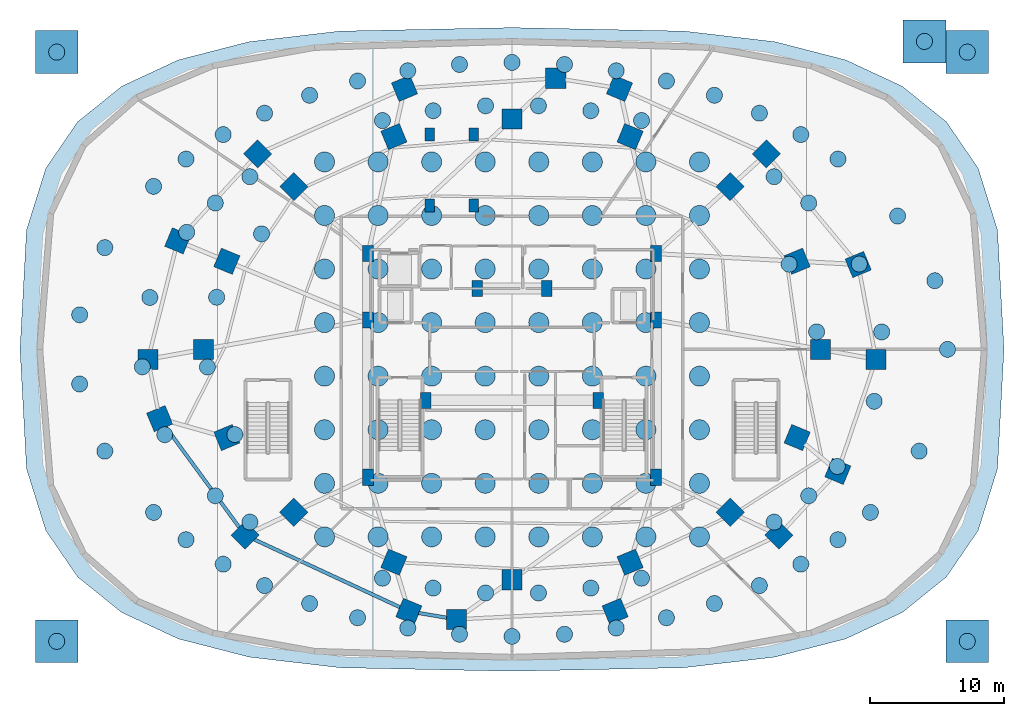
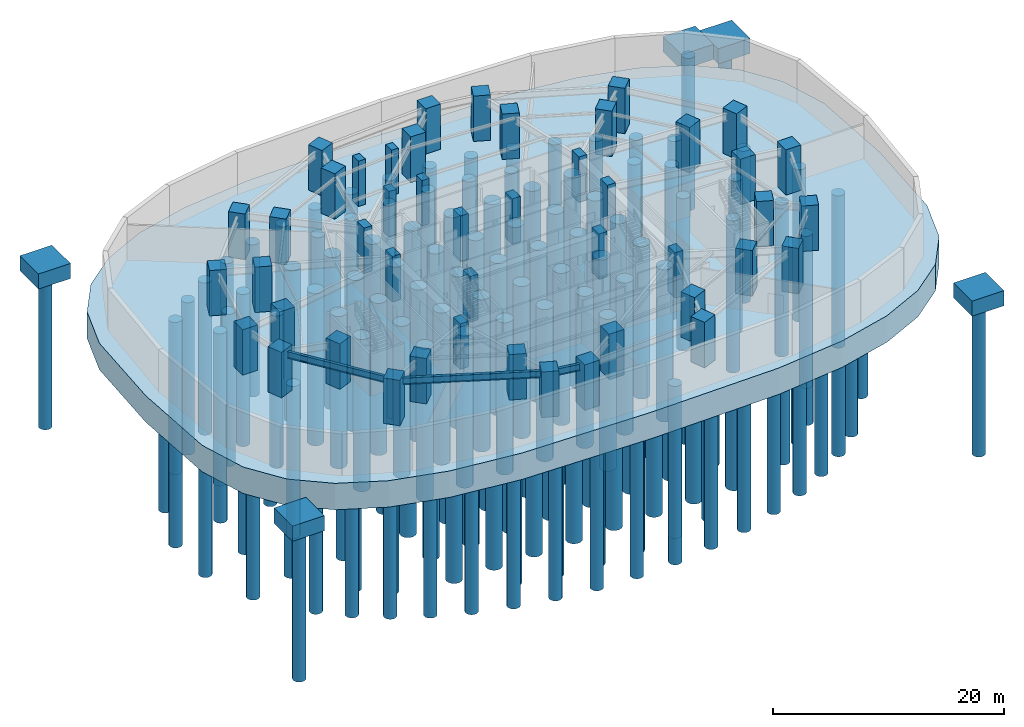
# One storey, part 1 of 9: 144 piles, 46 columns, 6 footings, 3 beams.
"""IFC4 building model written with IfcOpenShell, lengths in metres."""

import ifcopenshell
import ifcopenshell.guid

model = None  # the IFC model being written
_history = None  # IfcOwnerHistory: only IFC2X3 demands one
_inside = {}  # id of a spatial element -> (the spatial element, [elements in it])
_under = {}  # id of a project, library or spatial element -> (it, [spatial elements below it])
_declared = {}  # id of a project -> (the project, [libraries it declares])
_typed = {}  # id of a type object -> (the type object, [elements of that type])
_made_of = {}  # id of a material, layer set ... -> (it, [elements and type objects made of it])


def new_model(schema):
    """Start an empty IFC model of exactly this schema.

    Asked for "IFC4X3", IfcOpenShell would pick the latest addendum, in which some entities
    have other attributes; the version numbers below select the first issue.
    IFC2X3 requires an IfcOwnerHistory on every rooted entity: one is made here for all.
    """
    global model, _history
    if schema == "IFC4X3":
        model = ifcopenshell.file(schema_version=(4, 3, 0, 0))
    else:
        model = ifcopenshell.file(schema=schema)
    _inside.clear()
    _under.clear()
    _declared.clear()
    _typed.clear()
    _made_of.clear()
    _history = None
    if model.schema == "IFC2X3":
        org = make("IfcOrganization", Name="unknown")
        user = make(
            "IfcPersonAndOrganization",
            ThePerson=make("IfcPerson", FamilyName="unknown"),
            TheOrganization=org,
        )
        app = make(
            "IfcApplication",
            ApplicationDeveloper=org,
            Version="unknown",
            ApplicationFullName="unknown",
            ApplicationIdentifier="unknown",
        )
        _history = make(
            "IfcOwnerHistory",
            OwningUser=user,
            OwningApplication=app,
            ChangeAction="ADDED",
            CreationDate=0,
        )
    return model


def make(cls, **values):
    """One entity of the class cls with the attributes given. An attribute that is None is left unset."""
    return model.create_entity(
        cls, **{name: value for name, value in values.items() if value is not None}
    )


def rooted(cls, **values):
    """An entity with a GlobalId (a new one), such as an element, a storey or a relation."""
    return make(cls, GlobalId=ifcopenshell.guid.new(), OwnerHistory=_history, **values)


def si_unit(unit_type, name, prefix=None):
    """IfcSIUnit, for example si_unit("LENGTHUNIT", "METRE", prefix="MILLI")."""
    return make("IfcSIUnit", UnitType=unit_type, Prefix=prefix, Name=name)


def assignment(units):
    """IfcUnitAssignment: the units of a project."""
    return None if units is None else make("IfcUnitAssignment", Units=units)


def point(xyz):
    """IfcCartesianPoint."""
    return None if xyz is None else make("IfcCartesianPoint", Coordinates=xyz)


def direction(xyz):
    """IfcDirection."""
    return None if xyz is None else make("IfcDirection", DirectionRatios=xyz)


def frame(location, z_axis=None, x_axis=None):
    """IfcAxis2Placement3D, a coordinate frame: its origin and axes. An axis left out is left unset."""
    return make(
        "IfcAxis2Placement3D",
        Location=point(location),
        Axis=direction(z_axis),
        RefDirection=direction(x_axis),
    )


def frame_2d(location, x_axis=None):
    """IfcAxis2Placement2D, a coordinate frame in the plane: its origin and x axis."""
    return make(
        "IfcAxis2Placement2D", Location=point(location), RefDirection=direction(x_axis)
    )


def origin():
    """The frame at (0, 0, 0) with its axes left unset."""
    return frame((0.0, 0.0, 0.0))


def origin_2d():
    """The frame at (0, 0) in the plane with its x axis left unset."""
    return frame_2d((0.0, 0.0))


def place(relative_to, where):
    """IfcLocalPlacement: puts the frame where relative to a parent placement (None: the world)."""
    return make(
        "IfcLocalPlacement", PlacementRelTo=relative_to, RelativePlacement=where
    )


def context(
    kind, dimensions, precision=None, world=None, true_north=None, identifier=None
):
    """IfcGeometricRepresentationContext, for example the 3D "Model" context."""
    return make(
        "IfcGeometricRepresentationContext",
        ContextIdentifier=identifier,
        ContextType=kind,
        CoordinateSpaceDimension=dimensions,
        Precision=precision,
        WorldCoordinateSystem=world,
        TrueNorth=true_north,
    )


def subcontext(parent, identifier, kind, view, scale=None):
    """IfcGeometricRepresentationSubContext, for example "Body" below "Model"."""
    return make(
        "IfcGeometricRepresentationSubContext",
        ContextIdentifier=identifier,
        ContextType=kind,
        ParentContext=parent,
        TargetScale=scale,
        TargetView=view,
    )


def project(units=None, contexts=None):
    """IfcProject with its units and contexts."""
    return rooted(
        "IfcProject",
        Name="project",
        RepresentationContexts=contexts,
        UnitsInContext=assignment(units),
    )


def spatial(cls, under=None, at=None, **own):
    """A site, building, storey or space (cls), placed at a placement, below another one or the project."""
    s = rooted(cls, ObjectPlacement=at, **own)
    if under is not None:
        _under.setdefault(under.id(), (under, []))[1].append(s)
    return s


def polyline(points):
    """IfcPolyline through the points."""
    return make("IfcPolyline", Points=[point(p) for p in points])


def profile(cls, at=None, kind="AREA", **sizes):
    """A parametric profile (cls). Its sizes go by their IFC names, for example OverallWidth=200.0."""
    return make(cls, ProfileType=kind, Position=at, **sizes)


def rectangle(**sizes):
    """IfcRectangleProfileDef."""
    return profile("IfcRectangleProfileDef", **sizes)


def circle(**sizes):
    """IfcCircleProfileDef."""
    return profile("IfcCircleProfileDef", **sizes)


def i_section(**sizes):
    """IfcIShapeProfileDef."""
    return profile("IfcIShapeProfileDef", **sizes)


def outline(outer, holes=None, kind="AREA"):
    """IfcArbitraryClosedProfileDef: a profile drawn as a closed curve; with holes, ...WithVoids."""
    if holes is None:
        return make("IfcArbitraryClosedProfileDef", ProfileType=kind, OuterCurve=outer)
    return make(
        "IfcArbitraryProfileDefWithVoids",
        ProfileType=kind,
        OuterCurve=outer,
        InnerCurves=holes,
    )


def extrude(swept, where, along, depth):
    """IfcExtrudedAreaSolid: the profile swept, set in the frame where, extruded along a direction by depth."""
    return make(
        "IfcExtrudedAreaSolid",
        SweptArea=swept,
        Position=where,
        ExtrudedDirection=direction(along),
        Depth=depth,
    )


def shape(context_of_items, identifier, shape_type, items):
    """IfcShapeRepresentation: the items that make up one representation, for example the "Body"."""
    return make(
        "IfcShapeRepresentation",
        ContextOfItems=context_of_items,
        RepresentationIdentifier=identifier,
        RepresentationType=shape_type,
        Items=items,
    )


def material(Name=None, Category=None):
    """IfcMaterial."""
    return make("IfcMaterial", Name=Name, Category=Category)


def layer(
    of_material, thickness, ventilated=None, Name=None, Category=None, Priority=None
):
    """IfcMaterialLayer: one layer of a wall or slab, of a material (None: an air gap)."""
    return make(
        "IfcMaterialLayer",
        Material=of_material,
        LayerThickness=thickness,
        IsVentilated=ventilated,
        Name=Name,
        Category=Category,
        Priority=Priority,
    )


def layer_set(layers, Name=None):
    """IfcMaterialLayerSet."""
    return make("IfcMaterialLayerSet", MaterialLayers=layers, LayerSetName=Name)


def material_profile(
    of_material, cross_section, Name=None, Category=None, Priority=None
):
    """IfcMaterialProfile: a cross section and its material."""
    return make(
        "IfcMaterialProfile",
        Name=Name,
        Material=of_material,
        Profile=cross_section,
        Priority=Priority,
        Category=Category,
    )


def profile_set(profiles, Name=None, composite=None):
    """IfcMaterialProfileSet."""
    return make(
        "IfcMaterialProfileSet",
        Name=Name,
        MaterialProfiles=profiles,
        CompositeProfile=composite,
    )


def made_of(thing, what):
    """Note that an element or type object is made of a material, layer set ...; save() writes the relation."""
    if what is not None:
        _made_of.setdefault(what.id(), (what, []))[1].append(thing)
    return thing


def type_object(cls, material=None, **own):
    """A type object (cls), such as IfcWallType, which elements share."""
    return made_of(rooted(cls, **own), material)


def element(
    cls,
    number,
    at=None,
    inside=None,
    cuts=None,
    type_object=None,
    material=None,
    context=None,
    identifier="Body",
    shape_type=None,
    held_by="IfcProductDefinitionShape",
    body=None,
    shapes=None,
    **own,
):
    """One element of the class cls, such as IfcWall. Its Tag is "e" and its number.

    at: its placement. inside: the storey or other place that contains it. cuts: it is an
    opening in that element (IfcRelVoidsElement). A single representation is given by context,
    identifier, shape_type and body (its items); several are given by shapes. held_by: the class
    of the entity that holds the representations. save() writes the other relations.
    """
    e = rooted(cls, Tag="e%d" % number, ObjectPlacement=at, **own)
    if body is not None:
        shapes = [shape(context, identifier, shape_type, body)]
    if shapes is not None:
        e.Representation = make(held_by, Representations=shapes)
    if inside is not None:
        _inside.setdefault(inside.id(), (inside, []))[1].append(e)
    if cuts is not None:
        rooted(
            "IfcRelVoidsElement", RelatingBuildingElement=cuts, RelatedOpeningElement=e
        )
    if type_object is not None:
        _typed.setdefault(type_object.id(), (type_object, []))[1].append(e)
    return made_of(e, material)


def aggregate(whole, parts):
    """IfcRelAggregates: a whole, such as a stair, and the parts it consists of."""
    return rooted("IfcRelAggregates", RelatingObject=whole, RelatedObjects=parts)


def save(model, path):
    """Write the relations noted so far, then the file.

    IfcRelAggregates (storeys below a building ...), IfcRelContainedInSpatialStructure (elements
    in a storey), IfcRelDefinesByType, IfcRelAssociatesMaterial and IfcRelDeclares: one each for
    every whole, place, type object, material and project.
    """
    for whole, parts in _under.values():
        aggregate(whole, parts)
    for where, things in _inside.values():
        rooted(
            "IfcRelContainedInSpatialStructure",
            RelatedElements=things,
            RelatingStructure=where,
        )
    for kind, things in _typed.values():
        rooted("IfcRelDefinesByType", RelatedObjects=things, RelatingType=kind)
    for what, things in _made_of.values():
        rooted("IfcRelAssociatesMaterial", RelatedObjects=things, RelatingMaterial=what)
    for by, libraries in _declared.values():
        rooted("IfcRelDeclares", RelatingContext=by, RelatedDefinitions=libraries)
    model.write(path)


model = new_model("IFC4")

# Units and contexts
model_context = context("Model", 3, precision=1e-05, world=origin(), true_north=direction((0.0, 1.0)))
body_context = subcontext(model_context, "Body", "Model", "MODEL_VIEW")
ifc_project = project(units=[si_unit("LENGTHUNIT", "METRE"), si_unit("AREAUNIT", "SQUARE_METRE"), si_unit("VOLUMEUNIT", "CUBIC_METRE"), si_unit("PLANEANGLEUNIT", "RADIAN"), si_unit("MASSUNIT", "GRAM", prefix="KILO")], contexts=[model_context])

# Site, building, storey
site_placement = place(None, origin())
site = spatial("IfcSite", under=ifc_project, at=site_placement, CompositionType="ELEMENT")
building_placement = place(site_placement, origin())
building = spatial("IfcBuilding", under=site, at=building_placement, Name="Vorneva Point Tower", CompositionType="ELEMENT")
storey_placement = place(building_placement, frame((0.0, 0.0, -9.60009765625)))
storey = spatial("IfcBuildingStorey", under=building, at=storey_placement, Name="B02", CompositionType="ELEMENT", Elevation=-9.60009765625)

# Footings
ifc_material_1 = material(Name="Concrete B60 (C50/60)", Category="concrete")
footing_type_1 = type_object("IfcFootingType", Name="FT-PC-3200", PredefinedType="PILE_CAP", material=ifc_material_1)
for number, where, z_axis, x_axis, name in (
    (1, (4.0, 48.199951171875, -1.599853515625), (0.0, 0.0, 1.0), (1.0, 0.0, 0.0), "Apron Corner Pile Cap PC1"),
    (2, (72.0, 48.199951171875, -1.599853515625), (0.0, 0.0, 1.0), (1.0, 0.0, 0.0), "Apron Corner Pile Cap PC2"),
    (3, (4.0, 4.199951171875, -1.599853515625), (0.0, 0.0, 1.0), (1.0, 0.0, 0.0), "Apron Corner Pile Cap PC3"),
    (4, (72.0, 4.199951171875, -1.599853515625), (0.0, 0.0, 1.0), (1.0, 0.0, 0.0), "Apron Corner Pile Cap PC4"),
    (5, (68.800048828125, 49.0, -1.599853515625), (0.0, 0.0, 1.0), (1.0, 0.0, 0.0), "Apron Corner Pile Cap PC5"),
):
    element("IfcFooting", number, at=place(storey_placement, frame(where, z_axis=z_axis, x_axis=x_axis)), inside=storey, type_object=footing_type_1, Name=name, PredefinedType="PILE_CAP", context=body_context, shape_type="SweptSolid", body=[
        extrude(rectangle(XDim=3.199951171875, YDim=3.199951171875, at=origin_2d()), origin(), (0.0, 0.0, 1.0), 1.60009765625),
    ])
ifc_layer = layer(ifc_material_1, 2.800048828125)
ifc_layer_set = layer_set([ifc_layer], Name="Concrete B60 (C50/60)")
footing_type_2 = type_object("IfcFootingType", Name="FT-RAFT-2800", PredefinedType="PILE_CAP", material=ifc_layer_set)
footing_placement = place(storey_placement, frame((0.0, 0.0, -2.7998046875)))
element("IfcFooting", 6, at=footing_placement, inside=storey, type_object=footing_type_2, Name="Monolithic RC Piled Raft Foundation", PredefinedType="PILE_CAP", context=body_context, shape_type="SweptSolid", body=[
    extrude(outline(polyline([(74.742919921875, 26.0), (74.25927734375, 34.90771484375), (72.817626953125, 39.5283203125), (70.44140625, 42.99560546875), (67.14990234375, 45.64794921875), (62.927001953125, 47.616943359375), (57.6494140625, 48.9755859375), (50.854248046875, 49.771728515625), (38.0, 50.033935546875), (25.145751953125, 49.771728515625), (18.3505859375, 48.9755859375), (13.072998046875, 47.616943359375), (8.85009765625, 45.64794921875), (5.55859375, 42.99560546875), (3.182373046875, 39.5283203125), (1.74072265625, 34.90771484375), (1.257080078125, 26.0), (1.74072265625, 17.09228515625), (3.182373046875, 12.4716796875), (5.55859375, 9.00439453125), (8.85009765625, 6.35205078125), (13.072998046875, 4.383056640625), (18.3505859375, 3.0244140625), (25.145751953125, 2.228271484375), (38.0, 1.966064453125), (50.854248046875, 2.228271484375), (57.6494140625, 3.0244140625), (62.927001953125, 4.383056640625), (67.14990234375, 6.35205078125), (70.44140625, 9.00439453125), (72.817626953125, 12.4716796875), (74.25927734375, 17.09228515625), (74.742919921875, 26.0)])), origin(), (0.0, 0.0, 1.0), 2.7998046875),
])

# Piles
ifc_material_2 = material(Name="Concrete B50 (C40/50)", Category="concrete")
ifc_material_profile_1 = material_profile(ifc_material_2, circle(Radius=0.60009765625, at=origin_2d()), Name="PILE-1200")
ifc_profile_set_1 = profile_set([ifc_material_profile_1], Name="Concrete B50 (C40/50)")
pile_type_1 = type_object("IfcPileType", Name="PILE-BORED-1200", PredefinedType="BORED", material=ifc_profile_set_1)
for number, where, z_axis, x_axis, name in (
    (7, (4.0, 48.199951171875, -1.5), (0.0, 0.0, -1.0), (1.0, 0.0, 0.0), "Rock-Socketed Bored Pile PC1"),
    (8, (72.0, 48.199951171875, -1.5), (0.0, 0.0, -1.0), (1.0, 0.0, 0.0), "Rock-Socketed Bored Pile PC2"),
    (9, (4.0, 4.199951171875, -1.5), (0.0, 0.0, -1.0), (1.0, 0.0, 0.0), "Rock-Socketed Bored Pile PC3"),
    (10, (72.0, 4.199951171875, -1.5), (0.0, 0.0, -1.0), (1.0, 0.0, 0.0), "Rock-Socketed Bored Pile PC4"),
    (11, (68.800048828125, 49.0, -1.5), (0.0, 0.0, -1.0), (1.0, 0.0, 0.0), "Rock-Socketed Bored Pile PC5"),
    (12, (70.52392578125, 26.0, -2.699951171875), (0.0, 0.0, -1.0), (1.0, 0.0, 0.0), "Perimeter Bored Pile BP12-001"),
    (13, (69.578857421875, 31.12890625, -2.699951171875), (0.0, 0.0, -1.0), (1.0, 0.0, 0.0), "Perimeter Bored Pile BP12-002"),
    (14, (66.798583984375, 35.9599609375, -2.699951171875), (0.0, 0.0, -1.0), (1.0, 0.0, 0.0), "Perimeter Bored Pile BP12-003"),
    (15, (62.344482421875, 40.2119140625, -2.699951171875), (0.0, 0.0, -1.0), (1.0, 0.0, 0.0), "Perimeter Bored Pile BP12-004"),
    (16, (59.5673828125, 42.0419921875, -2.699951171875), (0.0, 0.0, -1.0), (1.0, 0.0, 0.0), "Perimeter Bored Pile BP12-005"),
    (17, (56.4755859375, 43.63818359375, -2.699951171875), (0.0, 0.0, -1.0), (1.0, 0.0, 0.0), "Perimeter Bored Pile BP12-006"),
    (18, (53.11474609375, 44.97705078125, -2.699951171875), (0.0, 0.0, -1.0), (1.0, 0.0, 0.0), "Perimeter Bored Pile BP12-007"),
    (19, (49.533203125, 46.039306640625, -2.699951171875), (0.0, 0.0, -1.0), (1.0, 0.0, 0.0), "Perimeter Bored Pile BP12-008"),
    (20, (45.783447265625, 46.80908203125, -2.699951171875), (0.0, 0.0, -1.0), (1.0, 0.0, 0.0), "Perimeter Bored Pile BP12-009"),
    (21, (41.92041015625, 47.275634765625, -2.699951171875), (0.0, 0.0, -1.0), (1.0, 0.0, 0.0), "Perimeter Bored Pile BP12-010"),
    (22, (38.0, 47.431884765625, -2.699951171875), (0.0, 0.0, -1.0), (1.0, 0.0, 0.0), "Perimeter Bored Pile BP12-011"),
    (23, (34.07958984375, 47.275634765625, -2.699951171875), (0.0, 0.0, -1.0), (1.0, 0.0, 0.0), "Perimeter Bored Pile BP12-012"),
    (24, (30.216552734375, 46.80908203125, -2.699951171875), (0.0, 0.0, -1.0), (1.0, 0.0, 0.0), "Perimeter Bored Pile BP12-013"),
    (25, (26.466796875, 46.039306640625, -2.699951171875), (0.0, 0.0, -1.0), (1.0, 0.0, 0.0), "Perimeter Bored Pile BP12-014"),
    (26, (22.88525390625, 44.97705078125, -2.699951171875), (0.0, 0.0, -1.0), (1.0, 0.0, 0.0), "Perimeter Bored Pile BP12-015"),
    (27, (19.5244140625, 43.63818359375, -2.699951171875), (0.0, 0.0, -1.0), (1.0, 0.0, 0.0), "Perimeter Bored Pile BP12-016"),
    (28, (16.4326171875, 42.0419921875, -2.699951171875), (0.0, 0.0, -1.0), (1.0, 0.0, 0.0), "Perimeter Bored Pile BP12-017"),
    (29, (13.655517578125, 40.2119140625, -2.699951171875), (0.0, 0.0, -1.0), (1.0, 0.0, 0.0), "Perimeter Bored Pile BP12-018"),
    (30, (11.2333984375, 38.1748046875, -2.699951171875), (0.0, 0.0, -1.0), (1.0, 0.0, 0.0), "Perimeter Bored Pile BP12-019"),
    (31, (7.589599609375, 33.599853515625, -2.699951171875), (0.0, 0.0, -1.0), (1.0, 0.0, 0.0), "Perimeter Bored Pile BP12-020"),
    (32, (5.713134765625, 28.583251953125, -2.699951171875), (0.0, 0.0, -1.0), (1.0, 0.0, 0.0), "Perimeter Bored Pile BP12-021"),
    (33, (5.713134765625, 23.416748046875, -2.699951171875), (0.0, 0.0, -1.0), (1.0, 0.0, 0.0), "Perimeter Bored Pile BP12-022"),
    (34, (7.589599609375, 18.400146484375, -2.699951171875), (0.0, 0.0, -1.0), (1.0, 0.0, 0.0), "Perimeter Bored Pile BP12-023"),
    (35, (11.2333984375, 13.8251953125, -2.699951171875), (0.0, 0.0, -1.0), (1.0, 0.0, 0.0), "Perimeter Bored Pile BP12-024"),
    (36, (13.655517578125, 11.7880859375, -2.699951171875), (0.0, 0.0, -1.0), (1.0, 0.0, 0.0), "Perimeter Bored Pile BP12-025"),
    (37, (16.4326171875, 9.9580078125, -2.699951171875), (0.0, 0.0, -1.0), (1.0, 0.0, 0.0), "Perimeter Bored Pile BP12-026"),
    (38, (19.5244140625, 8.36181640625, -2.699951171875), (0.0, 0.0, -1.0), (1.0, 0.0, 0.0), "Perimeter Bored Pile BP12-027"),
    (39, (22.88525390625, 7.02294921875, -2.699951171875), (0.0, 0.0, -1.0), (1.0, 0.0, 0.0), "Perimeter Bored Pile BP12-028"),
    (40, (26.466796875, 5.960693359375, -2.699951171875), (0.0, 0.0, -1.0), (1.0, 0.0, 0.0), "Perimeter Bored Pile BP12-029"),
    (41, (30.216552734375, 5.19091796875, -2.699951171875), (0.0, 0.0, -1.0), (1.0, 0.0, 0.0), "Perimeter Bored Pile BP12-030"),
    (42, (34.07958984375, 4.724365234375, -2.699951171875), (0.0, 0.0, -1.0), (1.0, 0.0, 0.0), "Perimeter Bored Pile BP12-031"),
    (43, (38.0, 4.568115234375, -2.699951171875), (0.0, 0.0, -1.0), (1.0, 0.0, 0.0), "Perimeter Bored Pile BP12-032"),
    (44, (41.92041015625, 4.724365234375, -2.699951171875), (0.0, 0.0, -1.0), (1.0, 0.0, 0.0), "Perimeter Bored Pile BP12-033"),
    (45, (45.783447265625, 5.19091796875, -2.699951171875), (0.0, 0.0, -1.0), (1.0, 0.0, 0.0), "Perimeter Bored Pile BP12-034"),
    (46, (49.533203125, 5.960693359375, -2.699951171875), (0.0, 0.0, -1.0), (1.0, 0.0, 0.0), "Perimeter Bored Pile BP12-035"),
    (47, (53.11474609375, 7.02294921875, -2.699951171875), (0.0, 0.0, -1.0), (1.0, 0.0, 0.0), "Perimeter Bored Pile BP12-036"),
    (48, (56.4755859375, 8.36181640625, -2.699951171875), (0.0, 0.0, -1.0), (1.0, 0.0, 0.0), "Perimeter Bored Pile BP12-037"),
    (49, (59.5673828125, 9.9580078125, -2.699951171875), (0.0, 0.0, -1.0), (1.0, 0.0, 0.0), "Perimeter Bored Pile BP12-038"),
    (50, (62.344482421875, 11.7880859375, -2.699951171875), (0.0, 0.0, -1.0), (1.0, 0.0, 0.0), "Perimeter Bored Pile BP12-039"),
    (51, (64.7666015625, 13.8251953125, -2.699951171875), (0.0, 0.0, -1.0), (1.0, 0.0, 0.0), "Perimeter Bored Pile BP12-040"),
    (52, (68.410400390625, 18.400146484375, -2.699951171875), (0.0, 0.0, -1.0), (1.0, 0.0, 0.0), "Perimeter Bored Pile BP12-041"),
    (53, (65.609619140625, 27.30126953125, -2.699951171875), (0.0, 0.0, -1.0), (1.0, 0.0, 0.0), "Perimeter Bored Pile BP12-042"),
    (54, (63.934814453125, 32.374267578125, -2.699951171875), (0.0, 0.0, -1.0), (1.0, 0.0, 0.0), "Perimeter Bored Pile BP12-043"),
    (55, (60.158935546875, 36.930908203125, -2.699951171875), (0.0, 0.0, -1.0), (1.0, 0.0, 0.0), "Perimeter Bored Pile BP12-044"),
    (56, (57.57275390625, 38.897705078125, -2.699951171875), (0.0, 0.0, -1.0), (1.0, 0.0, 0.0), "Perimeter Bored Pile BP12-045"),
    (57, (47.673095703125, 43.090087890625, -2.699951171875), (0.0, 0.0, -1.0), (1.0, 0.0, 0.0), "Perimeter Bored Pile BP12-046"),
    (58, (43.8837890625, 43.8232421875, -2.699951171875), (0.0, 0.0, -1.0), (1.0, 0.0, 0.0), "Perimeter Bored Pile BP12-047"),
    (59, (39.974609375, 44.193603515625, -2.699951171875), (0.0, 0.0, -1.0), (1.0, 0.0, 0.0), "Perimeter Bored Pile BP12-048"),
    (60, (36.025390625, 44.193603515625, -2.699951171875), (0.0, 0.0, -1.0), (1.0, 0.0, 0.0), "Perimeter Bored Pile BP12-049"),
    (61, (32.1162109375, 43.8232421875, -2.699951171875), (0.0, 0.0, -1.0), (1.0, 0.0, 0.0), "Perimeter Bored Pile BP12-050"),
    (62, (28.326904296875, 43.090087890625, -2.699951171875), (0.0, 0.0, -1.0), (1.0, 0.0, 0.0), "Perimeter Bored Pile BP12-051"),
    (63, (18.42724609375, 38.897705078125, -2.699951171875), (0.0, 0.0, -1.0), (1.0, 0.0, 0.0), "Perimeter Bored Pile BP12-052"),
    (64, (15.841064453125, 36.930908203125, -2.699951171875), (0.0, 0.0, -1.0), (1.0, 0.0, 0.0), "Perimeter Bored Pile BP12-053"),
    (65, (13.705810546875, 34.741455078125, -2.699951171875), (0.0, 0.0, -1.0), (1.0, 0.0, 0.0), "Perimeter Bored Pile BP12-054"),
    (66, (10.95263671875, 29.877197265625, -2.699951171875), (0.0, 0.0, -1.0), (1.0, 0.0, 0.0), "Perimeter Bored Pile BP12-055"),
    (67, (10.390380859375, 24.69873046875, -2.699951171875), (0.0, 0.0, -1.0), (1.0, 0.0, 0.0), "Perimeter Bored Pile BP12-056"),
    (68, (12.065185546875, 19.625732421875, -2.699951171875), (0.0, 0.0, -1.0), (1.0, 0.0, 0.0), "Perimeter Bored Pile BP12-057"),
    (69, (15.841064453125, 15.069091796875, -2.699951171875), (0.0, 0.0, -1.0), (1.0, 0.0, 0.0), "Perimeter Bored Pile BP12-058"),
    (70, (18.42724609375, 13.102294921875, -2.699951171875), (0.0, 0.0, -1.0), (1.0, 0.0, 0.0), "Perimeter Bored Pile BP12-059"),
    (71, (28.326904296875, 8.909912109375, -2.699951171875), (0.0, 0.0, -1.0), (1.0, 0.0, 0.0), "Perimeter Bored Pile BP12-060"),
    (72, (32.1162109375, 8.1767578125, -2.699951171875), (0.0, 0.0, -1.0), (1.0, 0.0, 0.0), "Perimeter Bored Pile BP12-061"),
    (73, (36.025390625, 7.806396484375, -2.699951171875), (0.0, 0.0, -1.0), (1.0, 0.0, 0.0), "Perimeter Bored Pile BP12-062"),
    (74, (39.974609375, 7.806396484375, -2.699951171875), (0.0, 0.0, -1.0), (1.0, 0.0, 0.0), "Perimeter Bored Pile BP12-063"),
    (75, (43.8837890625, 8.1767578125, -2.699951171875), (0.0, 0.0, -1.0), (1.0, 0.0, 0.0), "Perimeter Bored Pile BP12-064"),
    (76, (47.673095703125, 8.909912109375, -2.699951171875), (0.0, 0.0, -1.0), (1.0, 0.0, 0.0), "Perimeter Bored Pile BP12-065"),
    (77, (57.57275390625, 13.102294921875, -2.699951171875), (0.0, 0.0, -1.0), (1.0, 0.0, 0.0), "Perimeter Bored Pile BP12-066"),
    (78, (60.158935546875, 15.069091796875, -2.699951171875), (0.0, 0.0, -1.0), (1.0, 0.0, 0.0), "Perimeter Bored Pile BP12-067"),
    (79, (62.294189453125, 17.258544921875, -2.699951171875), (0.0, 0.0, -1.0), (1.0, 0.0, 0.0), "Perimeter Bored Pile BP12-068"),
    (80, (65.04736328125, 22.122802734375, -2.699951171875), (0.0, 0.0, -1.0), (1.0, 0.0, 0.0), "Perimeter Bored Pile BP12-069"),
    (81, (60.7490234375, 27.3115234375, -2.699951171875), (0.0, 0.0, -1.0), (1.0, 0.0, 0.0), "Perimeter Bored Pile BP12-070"),
    (82, (58.6962890625, 32.359619140625, -2.699951171875), (0.0, 0.0, -1.0), (1.0, 0.0, 0.0), "Perimeter Bored Pile BP12-071"),
    (83, (19.293701171875, 34.631103515625, -2.699951171875), (0.0, 0.0, -1.0), (1.0, 0.0, 0.0), "Perimeter Bored Pile BP12-072"),
    (84, (15.942138671875, 29.894775390625, -2.699951171875), (0.0, 0.0, -1.0), (1.0, 0.0, 0.0), "Perimeter Bored Pile BP12-073"),
    (85, (15.2509765625, 24.6884765625, -2.699951171875), (0.0, 0.0, -1.0), (1.0, 0.0, 0.0), "Perimeter Bored Pile BP12-074"),
    (86, (17.3037109375, 19.640380859375, -2.699951171875), (0.0, 0.0, -1.0), (1.0, 0.0, 0.0), "Perimeter Bored Pile BP12-075"),
):
    element("IfcPile", number, at=place(storey_placement, frame(where, z_axis=z_axis, x_axis=x_axis)), inside=storey, type_object=pile_type_1, Name=name, PredefinedType="BORED", context=body_context, shape_type="SweptSolid", body=[
        extrude(circle(Radius=0.60009765625, at=origin_2d()), origin(), (0.0, 0.0, 1.0), 16.10009765625),
    ])
ifc_material_profile_2 = material_profile(ifc_material_2, circle(Radius=0.75, at=origin_2d()), Name="PILE-1500")
ifc_profile_set_2 = profile_set([ifc_material_profile_2], Name="Concrete B50 (C40/50)")
pile_type_2 = type_object("IfcPileType", Name="PILE-BORED-1500", PredefinedType="BORED", material=ifc_profile_set_2)
for number, where, z_axis, x_axis, name in (
    (87, (24.0, 12.0, -2.699951171875), (0.0, 0.0, -1.0), (1.0, 0.0, 0.0), "Core Bored Pile BP15-001"),
    (88, (24.0, 16.0, -2.699951171875), (0.0, 0.0, -1.0), (1.0, 0.0, 0.0), "Core Bored Pile BP15-002"),
    (89, (24.0, 20.0, -2.699951171875), (0.0, 0.0, -1.0), (1.0, 0.0, 0.0), "Core Bored Pile BP15-003"),
    (90, (24.0, 24.0, -2.699951171875), (0.0, 0.0, -1.0), (1.0, 0.0, 0.0), "Core Bored Pile BP15-004"),
    (91, (24.0, 28.0, -2.699951171875), (0.0, 0.0, -1.0), (1.0, 0.0, 0.0), "Core Bored Pile BP15-005"),
    (92, (24.0, 32.0, -2.699951171875), (0.0, 0.0, -1.0), (1.0, 0.0, 0.0), "Core Bored Pile BP15-006"),
    (93, (24.0, 36.0, -2.699951171875), (0.0, 0.0, -1.0), (1.0, 0.0, 0.0), "Core Bored Pile BP15-007"),
    (94, (24.0, 40.0, -2.699951171875), (0.0, 0.0, -1.0), (1.0, 0.0, 0.0), "Core Bored Pile BP15-008"),
    (95, (28.0, 12.0, -2.699951171875), (0.0, 0.0, -1.0), (1.0, 0.0, 0.0), "Core Bored Pile BP15-009"),
    (96, (28.0, 16.0, -2.699951171875), (0.0, 0.0, -1.0), (1.0, 0.0, 0.0), "Core Bored Pile BP15-010"),
    (97, (28.0, 20.0, -2.699951171875), (0.0, 0.0, -1.0), (1.0, 0.0, 0.0), "Core Bored Pile BP15-011"),
    (98, (28.0, 24.0, -2.699951171875), (0.0, 0.0, -1.0), (1.0, 0.0, 0.0), "Core Bored Pile BP15-012"),
    (99, (28.0, 28.0, -2.699951171875), (0.0, 0.0, -1.0), (1.0, 0.0, 0.0), "Core Bored Pile BP15-013"),
    (100, (28.0, 32.0, -2.699951171875), (0.0, 0.0, -1.0), (1.0, 0.0, 0.0), "Core Bored Pile BP15-014"),
    (101, (28.0, 36.0, -2.699951171875), (0.0, 0.0, -1.0), (1.0, 0.0, 0.0), "Core Bored Pile BP15-015"),
    (102, (28.0, 40.0, -2.699951171875), (0.0, 0.0, -1.0), (1.0, 0.0, 0.0), "Core Bored Pile BP15-016"),
    (103, (32.0, 12.0, -2.699951171875), (0.0, 0.0, -1.0), (1.0, 0.0, 0.0), "Core Bored Pile BP15-017"),
    (104, (32.0, 16.0, -2.699951171875), (0.0, 0.0, -1.0), (1.0, 0.0, 0.0), "Core Bored Pile BP15-018"),
    (105, (32.0, 20.0, -2.699951171875), (0.0, 0.0, -1.0), (1.0, 0.0, 0.0), "Core Bored Pile BP15-019"),
    (106, (32.0, 24.0, -2.699951171875), (0.0, 0.0, -1.0), (1.0, 0.0, 0.0), "Core Bored Pile BP15-020"),
    (107, (32.0, 28.0, -2.699951171875), (0.0, 0.0, -1.0), (1.0, 0.0, 0.0), "Core Bored Pile BP15-021"),
    (108, (32.0, 32.0, -2.699951171875), (0.0, 0.0, -1.0), (1.0, 0.0, 0.0), "Core Bored Pile BP15-022"),
    (109, (32.0, 36.0, -2.699951171875), (0.0, 0.0, -1.0), (1.0, 0.0, 0.0), "Core Bored Pile BP15-023"),
    (110, (32.0, 40.0, -2.699951171875), (0.0, 0.0, -1.0), (1.0, 0.0, 0.0), "Core Bored Pile BP15-024"),
    (111, (36.0, 12.0, -2.699951171875), (0.0, 0.0, -1.0), (1.0, 0.0, 0.0), "Core Bored Pile BP15-025"),
    (112, (36.0, 16.0, -2.699951171875), (0.0, 0.0, -1.0), (1.0, 0.0, 0.0), "Core Bored Pile BP15-026"),
    (113, (36.0, 20.0, -2.699951171875), (0.0, 0.0, -1.0), (1.0, 0.0, 0.0), "Core Bored Pile BP15-027"),
    (114, (36.0, 24.0, -2.699951171875), (0.0, 0.0, -1.0), (1.0, 0.0, 0.0), "Core Bored Pile BP15-028"),
    (115, (36.0, 28.0, -2.699951171875), (0.0, 0.0, -1.0), (1.0, 0.0, 0.0), "Core Bored Pile BP15-029"),
    (116, (36.0, 32.0, -2.699951171875), (0.0, 0.0, -1.0), (1.0, 0.0, 0.0), "Core Bored Pile BP15-030"),
    (117, (36.0, 36.0, -2.699951171875), (0.0, 0.0, -1.0), (1.0, 0.0, 0.0), "Core Bored Pile BP15-031"),
    (118, (36.0, 40.0, -2.699951171875), (0.0, 0.0, -1.0), (1.0, 0.0, 0.0), "Core Bored Pile BP15-032"),
    (119, (40.0, 12.0, -2.699951171875), (0.0, 0.0, -1.0), (1.0, 0.0, 0.0), "Core Bored Pile BP15-033"),
    (120, (40.0, 16.0, -2.699951171875), (0.0, 0.0, -1.0), (1.0, 0.0, 0.0), "Core Bored Pile BP15-034"),
    (121, (40.0, 20.0, -2.699951171875), (0.0, 0.0, -1.0), (1.0, 0.0, 0.0), "Core Bored Pile BP15-035"),
    (122, (40.0, 24.0, -2.699951171875), (0.0, 0.0, -1.0), (1.0, 0.0, 0.0), "Core Bored Pile BP15-036"),
    (123, (40.0, 28.0, -2.699951171875), (0.0, 0.0, -1.0), (1.0, 0.0, 0.0), "Core Bored Pile BP15-037"),
    (124, (40.0, 32.0, -2.699951171875), (0.0, 0.0, -1.0), (1.0, 0.0, 0.0), "Core Bored Pile BP15-038"),
    (125, (40.0, 36.0, -2.699951171875), (0.0, 0.0, -1.0), (1.0, 0.0, 0.0), "Core Bored Pile BP15-039"),
    (126, (40.0, 40.0, -2.699951171875), (0.0, 0.0, -1.0), (1.0, 0.0, 0.0), "Core Bored Pile BP15-040"),
    (127, (44.0, 12.0, -2.699951171875), (0.0, 0.0, -1.0), (1.0, 0.0, 0.0), "Core Bored Pile BP15-041"),
    (128, (44.0, 16.0, -2.699951171875), (0.0, 0.0, -1.0), (1.0, 0.0, 0.0), "Core Bored Pile BP15-042"),
    (129, (44.0, 20.0, -2.699951171875), (0.0, 0.0, -1.0), (1.0, 0.0, 0.0), "Core Bored Pile BP15-043"),
    (130, (44.0, 24.0, -2.699951171875), (0.0, 0.0, -1.0), (1.0, 0.0, 0.0), "Core Bored Pile BP15-044"),
    (131, (44.0, 28.0, -2.699951171875), (0.0, 0.0, -1.0), (1.0, 0.0, 0.0), "Core Bored Pile BP15-045"),
    (132, (44.0, 32.0, -2.699951171875), (0.0, 0.0, -1.0), (1.0, 0.0, 0.0), "Core Bored Pile BP15-046"),
    (133, (44.0, 36.0, -2.699951171875), (0.0, 0.0, -1.0), (1.0, 0.0, 0.0), "Core Bored Pile BP15-047"),
    (134, (44.0, 40.0, -2.699951171875), (0.0, 0.0, -1.0), (1.0, 0.0, 0.0), "Core Bored Pile BP15-048"),
    (135, (48.0, 12.0, -2.699951171875), (0.0, 0.0, -1.0), (1.0, 0.0, 0.0), "Core Bored Pile BP15-049"),
    (136, (48.0, 16.0, -2.699951171875), (0.0, 0.0, -1.0), (1.0, 0.0, 0.0), "Core Bored Pile BP15-050"),
    (137, (48.0, 20.0, -2.699951171875), (0.0, 0.0, -1.0), (1.0, 0.0, 0.0), "Core Bored Pile BP15-051"),
    (138, (48.0, 24.0, -2.699951171875), (0.0, 0.0, -1.0), (1.0, 0.0, 0.0), "Core Bored Pile BP15-052"),
    (139, (48.0, 28.0, -2.699951171875), (0.0, 0.0, -1.0), (1.0, 0.0, 0.0), "Core Bored Pile BP15-053"),
    (140, (48.0, 32.0, -2.699951171875), (0.0, 0.0, -1.0), (1.0, 0.0, 0.0), "Core Bored Pile BP15-054"),
    (141, (48.0, 36.0, -2.699951171875), (0.0, 0.0, -1.0), (1.0, 0.0, 0.0), "Core Bored Pile BP15-055"),
    (142, (48.0, 40.0, -2.699951171875), (0.0, 0.0, -1.0), (1.0, 0.0, 0.0), "Core Bored Pile BP15-056"),
    (143, (52.0, 12.0, -2.699951171875), (0.0, 0.0, -1.0), (1.0, 0.0, 0.0), "Core Bored Pile BP15-057"),
    (144, (52.0, 16.0, -2.699951171875), (0.0, 0.0, -1.0), (1.0, 0.0, 0.0), "Core Bored Pile BP15-058"),
    (145, (52.0, 20.0, -2.699951171875), (0.0, 0.0, -1.0), (1.0, 0.0, 0.0), "Core Bored Pile BP15-059"),
    (146, (52.0, 24.0, -2.699951171875), (0.0, 0.0, -1.0), (1.0, 0.0, 0.0), "Core Bored Pile BP15-060"),
    (147, (52.0, 28.0, -2.699951171875), (0.0, 0.0, -1.0), (1.0, 0.0, 0.0), "Core Bored Pile BP15-061"),
    (148, (52.0, 32.0, -2.699951171875), (0.0, 0.0, -1.0), (1.0, 0.0, 0.0), "Core Bored Pile BP15-062"),
    (149, (52.0, 36.0, -2.699951171875), (0.0, 0.0, -1.0), (1.0, 0.0, 0.0), "Core Bored Pile BP15-063"),
    (150, (52.0, 40.0, -2.699951171875), (0.0, 0.0, -1.0), (1.0, 0.0, 0.0), "Core Bored Pile BP15-064"),
):
    element("IfcPile", number, at=place(storey_placement, frame(where, z_axis=z_axis, x_axis=x_axis)), inside=storey, type_object=pile_type_2, Name=name, PredefinedType="BORED", context=body_context, shape_type="SweptSolid", body=[
        extrude(circle(Radius=0.75, at=origin_2d()), origin(), (0.0, 0.0, 1.0), 16.10009765625),
    ])

# Columns
ifc_material_profile_3 = material_profile(ifc_material_1, rectangle(XDim=1.5, YDim=1.5, at=origin_2d()), Name="RC-COL 1500x1500")
ifc_profile_set_3 = profile_set([ifc_material_profile_3], Name="Concrete B60 (C50/60)")
column_type_1 = type_object("IfcColumnType", Name="COL-RC1500-SUB", PredefinedType="COLUMN", material=ifc_profile_set_3)
for number, where, z_axis, x_axis, name in (
    (151, (61.050048828125, 26.0, 0.0), (0.0, 0.0, 1.0), (1.0, 0.0, 0.0), "B02 Perimeter Column P01"),
    (152, (59.29541015625, 32.582275390625, 0.0), (0.0, 0.0, 1.0), (0.923879532511, 0.382683432365, 0.0), "B02 Perimeter Column P02"),
    (153, (54.298828125, 38.162109375, 0.0), (0.0, 0.0, 1.0), (0.707106781187, 0.707106781187, 0.0), "B02 Perimeter Column P03"),
    (154, (46.82080078125, 41.890625, 0.0), (0.0, 0.0, 1.0), (0.382683432365, 0.923879532511, 0.0), "B02 Perimeter Column P04"),
    (155, (38.0, 43.199951171875, 0.0), (0.0, 0.0, 1.0), (0.0, 1.0, 0.0), "B02 Perimeter Column P05"),
    (156, (29.17919921875, 41.890625, 0.0), (0.0, 0.0, 1.0), (-0.382683432365, 0.923879532511, 0.0), "B02 Perimeter Column P06"),
    (157, (21.701171875, 38.162109375, 0.0), (0.0, 0.0, 1.0), (-0.707106781187, 0.707106781187, 0.0), "B02 Perimeter Column P07"),
    (158, (16.70458984375, 32.582275390625, 0.0), (0.0, 0.0, 1.0), (-0.923879532511, 0.382683432365, 0.0), "B02 Perimeter Column P08"),
    (159, (14.949951171875, 26.0, 0.0), (0.0, 0.0, 1.0), (-1.0, 0.0, 0.0), "B02 Perimeter Column P09"),
    (160, (16.70458984375, 19.417724609375, 0.0), (0.0, 0.0, 1.0), (-0.923879532511, -0.382683432365, 0.0), "B02 Perimeter Column P10"),
    (161, (21.701171875, 13.837890625, 0.0), (0.0, 0.0, 1.0), (-0.707106781187, -0.707106781187, 0.0), "B02 Perimeter Column P11"),
    (162, (29.17919921875, 10.109375, 0.0), (0.0, 0.0, 1.0), (-0.382683432365, -0.923879532511, 0.0), "B02 Perimeter Column P12"),
    (163, (38.0, 8.800048828125, 0.0), (0.0, 0.0, 1.0), (0.0, -1.0, 0.0), "B02 Perimeter Column P13"),
    (164, (46.82080078125, 10.109375, 0.0), (0.0, 0.0, 1.0), (0.382683432365, -0.923879532511, 0.0), "B02 Perimeter Column P14"),
    (165, (54.298828125, 13.837890625, 0.0), (0.0, 0.0, 1.0), (0.707106781187, -0.707106781187, 0.0), "B02 Perimeter Column P15"),
    (166, (59.29541015625, 19.417724609375, 0.0), (0.0, 0.0, 1.0), (0.923879532511, -0.382683432365, 0.0), "B02 Perimeter Column P16"),
    (167, (65.18212890625, 25.260986328125, 0.0), (0.0, 0.0, 1.0), (1.0, 0.0, 0.0), "B02 Outer Zone Column OP01"),
    (168, (63.8544921875, 32.336669921875, 0.0), (0.0, 0.0, 1.0), (0.923879532511, 0.382683432365, 0.0), "B02 Outer Zone Column OP02"),
    (169, (56.997314453125, 40.599853515625, 0.0), (0.0, 0.0, 1.0), (0.707106781187, 0.707106781187, 0.0), "B02 Outer Zone Column OP03"),
    (170, (46.026123046875, 45.49169921875, 0.0), (0.0, 0.0, 1.0), (0.382683432365, 0.923879532511, 0.0), "B02 Outer Zone Column OP04"),
    (171, (41.26513671875, 46.25244140625, 0.0), (0.0, 0.0, 1.0), (0.0, 1.0, 0.0), "B02 Outer Zone Column OP05"),
    (172, (29.973876953125, 45.49169921875, 0.0), (0.0, 0.0, 1.0), (-0.382683432365, 0.923879532511, 0.0), "B02 Outer Zone Column OP06"),
    (173, (19.002685546875, 40.599853515625, 0.0), (0.0, 0.0, 1.0), (-0.707106781187, 0.707106781187, 0.0), "B02 Outer Zone Column OP07"),
    (174, (13.0390625, 34.10546875, 0.0), (0.0, 0.0, 1.0), (-0.923879532511, 0.382683432365, 0.0), "B02 Outer Zone Column OP08"),
    (175, (10.81787109375, 25.260986328125, 0.0), (0.0, 0.0, 1.0), (-1.0, 0.0, 0.0), "B02 Outer Zone Column OP09"),
    (176, (11.68798828125, 20.82958984375, 0.0), (0.0, 0.0, 1.0), (-0.923879532511, -0.382683432365, 0.0), "B02 Outer Zone Column OP10"),
    (177, (18.061279296875, 12.124267578125, 0.0), (0.0, 0.0, 1.0), (-0.707106781187, -0.707106781187, 0.0), "B02 Outer Zone Column OP11"),
    (178, (30.296875, 6.435302734375, 0.0), (0.0, 0.0, 1.0), (-0.382683432365, -0.923879532511, 0.0), "B02 Outer Zone Column OP12"),
    (179, (33.84033203125, 5.83984375, 0.0), (0.0, 0.0, 1.0), (0.0, -1.0, 0.0), "B02 Outer Zone Column OP13"),
    (180, (45.703125, 6.435302734375, 0.0), (0.0, 0.0, 1.0), (0.382683432365, -0.923879532511, 0.0), "B02 Outer Zone Column OP14"),
    (181, (57.938720703125, 12.124267578125, 0.0), (0.0, 0.0, 1.0), (0.707106781187, -0.707106781187, 0.0), "B02 Outer Zone Column OP15"),
    (182, (62.3349609375, 16.886474609375, 0.0), (0.0, 0.0, 1.0), (0.923879532511, -0.382683432365, 0.0), "B02 Outer Zone Column OP16"),
):
    element("IfcColumn", number, at=place(storey_placement, frame(where, z_axis=z_axis, x_axis=x_axis)), inside=storey, type_object=column_type_1, Name=name, PredefinedType="COLUMN", context=body_context, shape_type="SweptSolid", body=[
        extrude(rectangle(XDim=1.5, YDim=1.5, at=origin_2d()), origin(), (0.0, 0.0, 1.0), 4.800048828125),
    ])
ifc_material_profile_4 = material_profile(ifc_material_2, rectangle(XDim=0.699951171875, YDim=1.0, at=origin_2d()), Name="RC-PIL 1000x700")
ifc_profile_set_4 = profile_set([ifc_material_profile_4], Name="Concrete B50 (C40/50)")
column_type_2 = type_object("IfcColumnType", Name="PIL-RC1000x700", PredefinedType="PILASTER", material=ifc_profile_set_4)
for number, where, z_axis, x_axis, name in (
    (183, (31.85009765625, 36.75, 0.0), (0.0, 0.0, 1.0), (1.0, 0.0, 0.0), "B02 Vehicle Ramp Support Pier RMP1"),
    (184, (35.14990234375, 36.75, 0.0), (0.0, 0.0, 1.0), (1.0, 0.0, 0.0), "B02 Vehicle Ramp Support Pier RMP2"),
    (185, (35.14990234375, 42.050048828125, 0.0), (0.0, 0.0, 1.0), (1.0, 0.0, 0.0), "B02 Vehicle Ramp Support Pier RMP3"),
    (186, (31.85009765625, 42.050048828125, 0.0), (0.0, 0.0, 1.0), (1.0, 0.0, 0.0), "B02 Vehicle Ramp Support Pier RMP4"),
):
    element("IfcColumn", number, at=place(storey_placement, frame(where, z_axis=z_axis, x_axis=x_axis)), inside=storey, type_object=column_type_2, Name=name, PredefinedType="PILASTER", context=body_context, shape_type="SweptSolid", body=[
        extrude(rectangle(XDim=0.699951171875, YDim=1.0, at=origin_2d()), origin(), (0.0, 0.0, 1.0), 4.800048828125),
    ])
ifc_material_profile_5 = material_profile(ifc_material_1, rectangle(XDim=0.800048828125, YDim=1.199951171875, at=origin_2d()), Name="RC-PIL 1200x800")
ifc_profile_set_5 = profile_set([ifc_material_profile_5], Name="Concrete B60 (C50/60)")
column_type_3 = type_object("IfcColumnType", Name="PIL-RC1200x800", PredefinedType="PILASTER", material=ifc_profile_set_5)
for number, where, z_axis, x_axis, name in (
    (187, (27.25, 16.449951171875, 0.0), (0.0, 0.0, 1.0), (1.0, 0.0, 0.0), "B02 Core Pilaster CP1"),
    (188, (27.25, 28.199951171875, 0.0), (0.0, 0.0, 1.0), (1.0, 0.0, 0.0), "B02 Core Pilaster CP2"),
    (189, (27.25, 33.14990234375, 0.0), (0.0, 0.0, 1.0), (1.0, 0.0, 0.0), "B02 Core Pilaster CP3"),
    (190, (31.550048828125, 22.199951171875, 0.0), (0.0, 0.0, 1.0), (1.0, 0.0, 0.0), "B02 Core Pilaster CP4"),
    (191, (48.75, 33.14990234375, 0.0), (0.0, 0.0, 1.0), (1.0, 0.0, 0.0), "B02 Core Pilaster CP5"),
    (192, (48.75, 28.199951171875, 0.0), (0.0, 0.0, 1.0), (1.0, 0.0, 0.0), "B02 Core Pilaster CP6"),
    (193, (48.75, 16.449951171875, 0.0), (0.0, 0.0, 1.0), (1.0, 0.0, 0.0), "B02 Core Pilaster CP7"),
    (194, (44.449951171875, 22.199951171875, 0.0), (0.0, 0.0, 1.0), (1.0, 0.0, 0.0), "B02 Core Pilaster CP8"),
    (195, (35.39990234375, 30.550048828125, 0.0), (0.0, 0.0, 1.0), (1.0, 0.0, 0.0), "B02 Core Pilaster CP9"),
    (196, (40.60009765625, 30.550048828125, 0.0), (0.0, 0.0, 1.0), (1.0, 0.0, 0.0), "B02 Core Pilaster CP10"),
):
    element("IfcColumn", number, at=place(storey_placement, frame(where, z_axis=z_axis, x_axis=x_axis)), inside=storey, type_object=column_type_3, Name=name, PredefinedType="PILASTER", context=body_context, shape_type="SweptSolid", body=[
        extrude(rectangle(XDim=0.800048828125, YDim=1.199951171875, at=origin_2d()), origin(), (0.0, 0.0, 1.0), 4.800048828125),
    ])

# Beams
ifc_material_3 = material(Name="Steel S355", Category="steel")
ifc_material_profile_6 = material_profile(ifc_material_3, i_section(OverallWidth=0.260009765625, OverallDepth=0.69091796875, WebThickness=0.011962890625, FlangeThickness=0.015380859375, at=origin_2d()), Name="70B1")
ifc_profile_set_6 = profile_set([ifc_material_profile_6], Name="Steel S355")
beam_type = type_object("IfcBeamType", Name="BM-SPN-70B1-SUB", PredefinedType="SPANDREL", material=ifc_profile_set_6)
beam_1_placement = place(storey_placement, frame((12.122314453125, 20.236572265625, 4.1044921875), z_axis=(0.590717225993, -0.806878651914, 0.0), x_axis=(0.806878651914, 0.590717225993, 0.0)))
element("IfcBeam", 197, at=beam_1_placement, inside=storey, type_object=beam_type, Name="B02 Perimeter Spandrel Ring Beam 10", PredefinedType="SPANDREL", context=body_context, shape_type="SweptSolid", body=[
    extrude(i_section(OverallWidth=0.260009765625, OverallDepth=0.69091796875, WebThickness=0.011962890625, FlangeThickness=0.015380859375, at=origin_2d()), origin(), (0.0, 0.0, 1.0), 9.319091796875),
])
beam_2_placement = place(storey_placement, frame((18.727783203125, 11.814208984375, 4.1044921875), z_axis=(0.906780872519, -0.421602240547, 0.0), x_axis=(0.421602240547, 0.906780872519, 0.0)))
element("IfcBeam", 198, at=beam_2_placement, inside=storey, type_object=beam_type, Name="B02 Perimeter Spandrel Ring Beam 11", PredefinedType="SPANDREL", context=body_context, shape_type="SweptSolid", body=[
    extrude(i_section(OverallWidth=0.260009765625, OverallDepth=0.69091796875, WebThickness=0.011962890625, FlangeThickness=0.015380859375, at=origin_2d()), origin(), (0.0, 0.0, 1.0), 12.0234375),
])
beam_3_placement = place(storey_placement, frame((31.021728515625, 6.3134765625, 4.1044921875), z_axis=(0.98617550681, -0.165704163399, 0.0), x_axis=(0.165704163399, 0.98617550681, 0.0)))
element("IfcBeam", 199, at=beam_3_placement, inside=storey, type_object=beam_type, Name="B02 Perimeter Spandrel Ring Beam 12", PredefinedType="SPANDREL", context=body_context, shape_type="SweptSolid", body=[
    extrude(i_section(OverallWidth=0.260009765625, OverallDepth=0.69091796875, WebThickness=0.011962890625, FlangeThickness=0.015380859375, at=origin_2d()), origin(), (0.0, 0.0, 1.0), 2.123046875),
])

save(model, "model.ifc")
